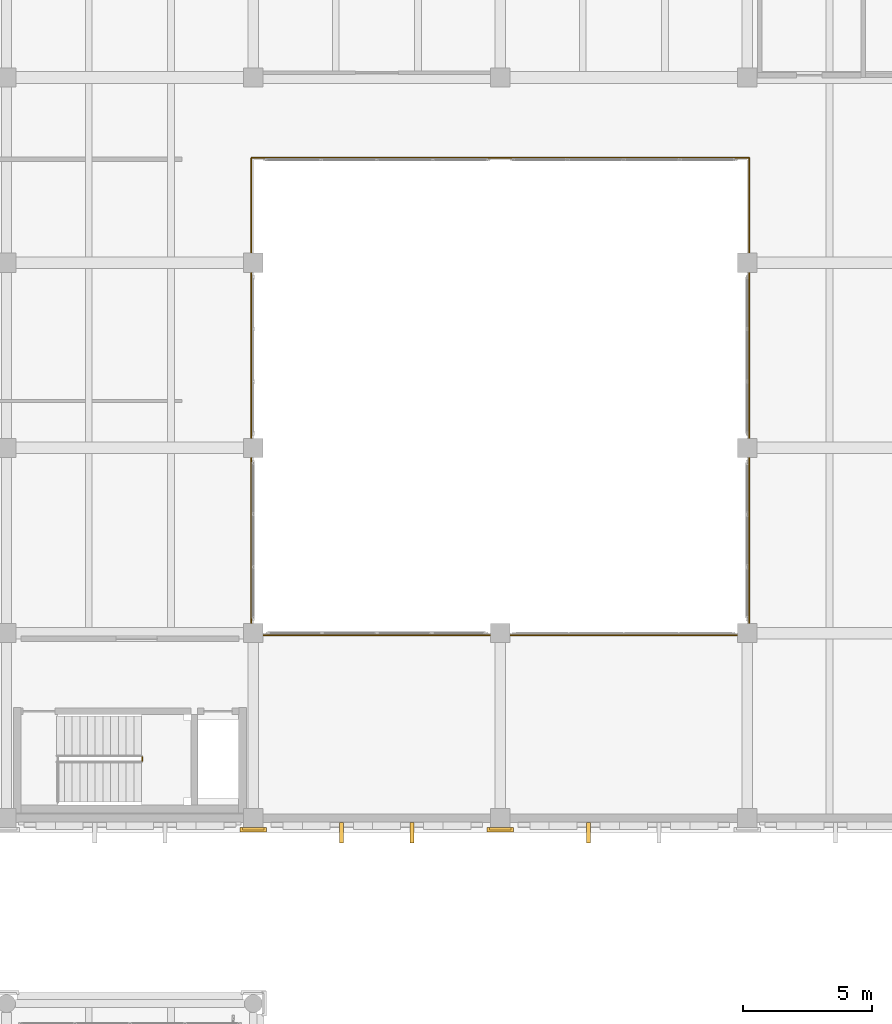
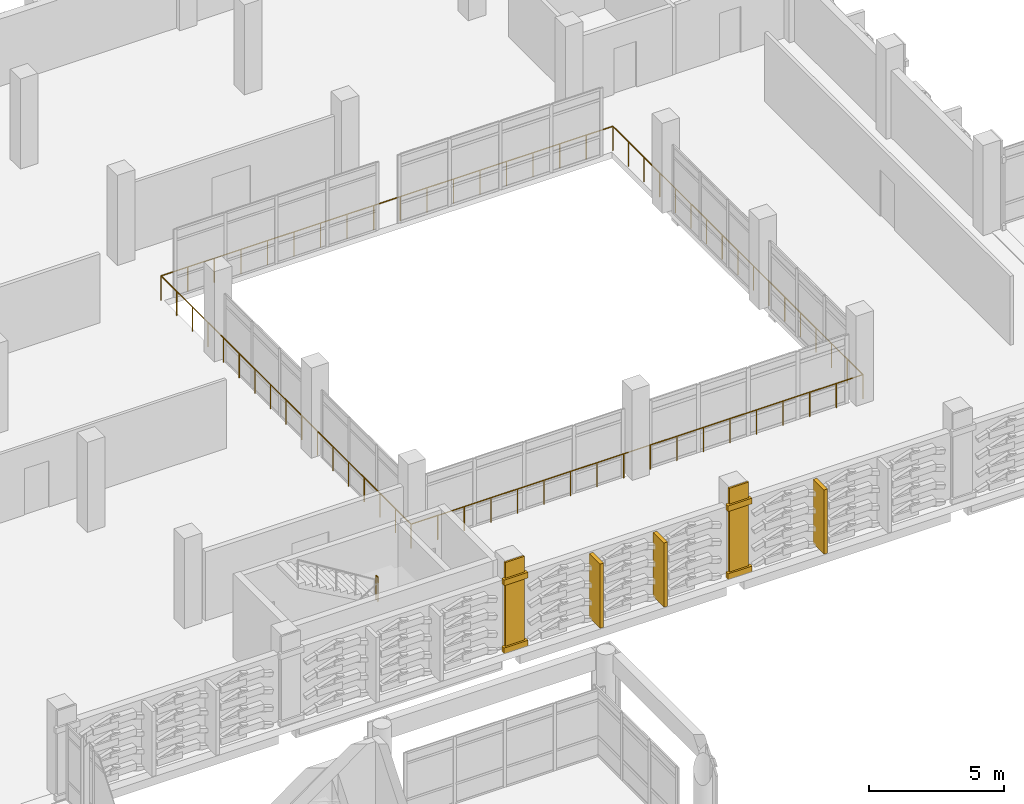
# One storey, part 170 of 180: 9 coverings, 3 railings.
"""IFC4 building model written with IfcOpenShell, lengths in metres."""

from ifc_helpers import new_model, si_unit, direction, frame, origin, origin_2d, place, context, subcontext, project, spatial, rectangle, circle, extrude, material, layer, layer_set, type_object, element, save


model = new_model("IFC4")

# Units and contexts
model_context = context("Model", 3, precision=1e-05, world=origin(), true_north=direction((0.0, 1.0)))
body_context = subcontext(model_context, "Body", "Model", "MODEL_VIEW")
ifc_project = project(units=[si_unit("LENGTHUNIT", "METRE"), si_unit("AREAUNIT", "SQUARE_METRE"), si_unit("VOLUMEUNIT", "CUBIC_METRE"), si_unit("PLANEANGLEUNIT", "RADIAN"), si_unit("MASSUNIT", "GRAM", prefix="KILO")], contexts=[model_context])

# Site, building, storey
site_placement = place(None, origin())
site = spatial("IfcSite", under=ifc_project, at=site_placement, CompositionType="ELEMENT")
building_placement = place(site_placement, origin())
building = spatial("IfcBuilding", under=site, at=building_placement, Name="Asteropetra Specialist Clinic", CompositionType="ELEMENT")
storey_placement = place(building_placement, frame((0.0, 0.0, 4.419921875)))
storey = spatial("IfcBuildingStorey", under=building, at=storey_placement, Name="L01", CompositionType="ELEMENT", Elevation=4.419921875)

# Coverings
ifc_material_1 = material(Name="Pentelic marble ashlar", Category="masonry")
ifc_layer_1 = layer(ifc_material_1, 0.159912109375)
ifc_layer_set_1 = layer_set([ifc_layer_1], Name="Pentelic marble ashlar")
covering_type_1 = type_object("IfcCoveringType", Name="CRN-ENTAB-600", PredefinedType="MOLDING", material=ifc_layer_set_1)
covering_1_placement = place(storey_placement, frame((48.0, 69.193115234375, 0.02001953125), z_axis=(0.0, 0.0, 1.0), x_axis=(1.0, 0.0, 0.0)))
element("IfcCovering", 1, at=covering_1_placement, inside=storey, type_object=covering_type_1, Name="Neoclassical Pilaster Facing CM-0604", PredefinedType="MOLDING", context=body_context, shape_type="SweptSolid", body=[
    extrude(rectangle(XDim=0.830078125, YDim=0.080078125, at=origin_2d()), origin(), (0.0, 0.0, 1.0), 4.0400390625),
])
for number, where, z_axis, x_axis, name in (
    (2, (48.0, 69.153076171875, 0.01025390625), (0.0, 0.0, 1.0), (1.0, 0.0, 0.0), "Doric Base CC-0605"),
    (3, (48.0, 69.153076171875, 3.08984375), (0.0, 0.0, 1.0), (1.0, 0.0, 0.0), "Doric Capital CC-0606"),
):
    element("IfcCovering", number, at=place(storey_placement, frame(where, z_axis=z_axis, x_axis=x_axis)), inside=storey, type_object=covering_type_1, Name=name, PredefinedType="MOLDING", context=body_context, shape_type="SweptSolid", body=[
        extrude(rectangle(XDim=1.030029296875, YDim=0.159912109375, at=origin_2d()), origin(), (0.0, 0.0, 1.0), 0.260009765625),
    ])
covering_2_placement = place(storey_placement, frame((57.60009765625, 69.193115234375, 0.02001953125), z_axis=(0.0, 0.0, 1.0), x_axis=(1.0, 0.0, 0.0)))
element("IfcCovering", 4, at=covering_2_placement, inside=storey, type_object=covering_type_1, Name="Neoclassical Pilaster Facing CM-0610", PredefinedType="MOLDING", context=body_context, shape_type="SweptSolid", body=[
    extrude(rectangle(XDim=0.830078125, YDim=0.080078125, at=origin_2d()), origin(), (0.0, 0.0, 1.0), 4.0400390625),
])
for number, where, z_axis, x_axis, name in (
    (5, (57.60009765625, 69.153076171875, 0.01025390625), (0.0, 0.0, 1.0), (1.0, 0.0, 0.0), "Doric Base CC-0611"),
    (6, (57.60009765625, 69.153076171875, 3.08984375), (0.0, 0.0, 1.0), (1.0, 0.0, 0.0), "Doric Capital CC-0612"),
):
    element("IfcCovering", number, at=place(storey_placement, frame(where, z_axis=z_axis, x_axis=x_axis)), inside=storey, type_object=covering_type_1, Name=name, PredefinedType="MOLDING", context=body_context, shape_type="SweptSolid", body=[
        extrude(rectangle(XDim=1.030029296875, YDim=0.159912109375, at=origin_2d()), origin(), (0.0, 0.0, 1.0), 0.260009765625),
    ])
ifc_material_2 = material(Name="Pentelic marble solar fin", Category="masonry")
ifc_layer_2 = layer(ifc_material_2, 0.080078125)
ifc_layer_set_2 = layer_set([ifc_layer_2], Name="Pentelic marble solar fin")
covering_type_2 = type_object("IfcCoveringType", Name="FIN-SOLAR-800", PredefinedType="MOLDING", material=ifc_layer_set_2)
for number, where, z_axis, x_axis, name in (
    (7, (51.431640625, 69.044921875, 0.0703125), (0.0, 0.0, 1.0), (1.0, 0.0, 0.0), "Solar Shading Fin FN-0024"),
    (8, (54.168212890625, 69.044921875, 0.0703125), (0.0, 0.0, 1.0), (1.0, 0.0, 0.0), "Solar Shading Fin FN-0025"),
    (9, (61.03173828125, 69.044921875, 0.0703125), (0.0, 0.0, 1.0), (1.0, 0.0, 0.0), "Solar Shading Fin FN-0028"),
):
    element("IfcCovering", number, at=place(storey_placement, frame(where, z_axis=z_axis, x_axis=x_axis)), inside=storey, type_object=covering_type_2, Name=name, PredefinedType="MOLDING", context=body_context, shape_type="SweptSolid", body=[
        extrude(rectangle(XDim=0.159912109375, YDim=0.800048828125, at=origin_2d()), origin(), (0.0, 0.0, 1.0), 2.909912109375),
    ])

# Railings
ifc_material_3 = material(Name="Powder-coated Steel S355 guardrail", Category="steel")
railing_type_1 = type_object("IfcRailingType", Name="GRD-EXT-1120", PredefinedType="GUARDRAIL", material=ifc_material_3)
railing_1_placement = place(storey_placement, frame((47.919921875, 76.719970703125, 0.0)))
element("IfcRailing", 10, at=railing_1_placement, inside=storey, type_object=railing_type_1, Name="Perimeter Guard GRD-CT-L01-02A", PredefinedType="GUARDRAIL", context=body_context, shape_type="SweptSolid", body=[
    extrude(circle(Radius=0.02392578125, at=origin_2d()), frame((0.0, 0.0, 1.09619140625), z_axis=(1.0, 0.0, 0.0), x_axis=(0.0, 1.0, 0.0)), (0.0, 0.0, 1.0), 19.360107421875),
    extrude(circle(Radius=0.02392578125, at=origin_2d()), frame((19.360107421875, 0.0, 1.09619140625), z_axis=(0.0, 1.0, 0.0), x_axis=(-1.0, 0.0, 0.0)), (0.0, 0.0, 1.0), 18.56005859375),
    extrude(circle(Radius=0.02099609375, at=origin_2d()), origin(), (0.0, 0.0, 1.0), 1.072021484375),
    extrude(circle(Radius=0.02099609375, at=origin_2d()), frame((1.138916015625, 0.0, 0.0)), (0.0, 0.0, 1.0), 1.072021484375),
    extrude(circle(Radius=0.02099609375, at=origin_2d()), frame((2.277587890625, 0.0, 0.0)), (0.0, 0.0, 1.0), 1.072021484375),
    extrude(circle(Radius=0.02099609375, at=origin_2d()), frame((3.41650390625, 0.0, 0.0)), (0.0, 0.0, 1.0), 1.072021484375),
    extrude(circle(Radius=0.02099609375, at=origin_2d()), frame((4.555419921875, 0.0, 0.0)), (0.0, 0.0, 1.0), 1.072021484375),
    extrude(circle(Radius=0.02099609375, at=origin_2d()), frame((5.694091796875, 0.0, 0.0)), (0.0, 0.0, 1.0), 1.072021484375),
    extrude(circle(Radius=0.02099609375, at=origin_2d()), frame((6.8330078125, 0.0, 0.0)), (0.0, 0.0, 1.0), 1.072021484375),
    extrude(circle(Radius=0.02099609375, at=origin_2d()), frame((7.971923828125, 0.0, 0.0)), (0.0, 0.0, 1.0), 1.072021484375),
    extrude(circle(Radius=0.02099609375, at=origin_2d()), frame((9.110595703125, 0.0, 0.0)), (0.0, 0.0, 1.0), 1.072021484375),
    extrude(circle(Radius=0.02099609375, at=origin_2d()), frame((10.24951171875, 0.0, 0.0)), (0.0, 0.0, 1.0), 1.072021484375),
    extrude(circle(Radius=0.02099609375, at=origin_2d()), frame((11.38818359375, 0.0, 0.0)), (0.0, 0.0, 1.0), 1.072021484375),
    extrude(circle(Radius=0.02099609375, at=origin_2d()), frame((12.527099609375, 0.0, 0.0)), (0.0, 0.0, 1.0), 1.072021484375),
    extrude(circle(Radius=0.02099609375, at=origin_2d()), frame((13.666015625, 0.0, 0.0)), (0.0, 0.0, 1.0), 1.072021484375),
    extrude(circle(Radius=0.02099609375, at=origin_2d()), frame((14.8046875, 0.0, 0.0)), (0.0, 0.0, 1.0), 1.072021484375),
    extrude(circle(Radius=0.02099609375, at=origin_2d()), frame((15.943603515625, 0.0, 0.0)), (0.0, 0.0, 1.0), 1.072021484375),
    extrude(circle(Radius=0.02099609375, at=origin_2d()), frame((17.08251953125, 0.0, 0.0)), (0.0, 0.0, 1.0), 1.072021484375),
    extrude(circle(Radius=0.02099609375, at=origin_2d()), frame((18.22119140625, 0.0, 0.0)), (0.0, 0.0, 1.0), 1.072021484375),
    extrude(circle(Radius=0.02099609375, at=origin_2d()), frame((19.360107421875, 0.0, 0.0)), (0.0, 0.0, 1.0), 1.072021484375),
    extrude(circle(Radius=0.02099609375, at=origin_2d()), frame((19.360107421875, 1.159912109375, 0.0)), (0.0, 0.0, 1.0), 1.072021484375),
    extrude(circle(Radius=0.02099609375, at=origin_2d()), frame((19.360107421875, 2.320068359375, 0.0)), (0.0, 0.0, 1.0), 1.072021484375),
    extrude(circle(Radius=0.02099609375, at=origin_2d()), frame((19.360107421875, 3.47998046875, 0.0)), (0.0, 0.0, 1.0), 1.072021484375),
    extrude(circle(Radius=0.02099609375, at=origin_2d()), frame((19.360107421875, 4.64013671875, 0.0)), (0.0, 0.0, 1.0), 1.072021484375),
    extrude(circle(Radius=0.02099609375, at=origin_2d()), frame((19.360107421875, 5.800048828125, 0.0)), (0.0, 0.0, 1.0), 1.072021484375),
    extrude(circle(Radius=0.02099609375, at=origin_2d()), frame((19.360107421875, 6.9599609375, 0.0)), (0.0, 0.0, 1.0), 1.072021484375),
    extrude(circle(Radius=0.02099609375, at=origin_2d()), frame((19.360107421875, 8.1201171875, 0.0)), (0.0, 0.0, 1.0), 1.072021484375),
    extrude(circle(Radius=0.02099609375, at=origin_2d()), frame((19.360107421875, 9.280029296875, 0.0)), (0.0, 0.0, 1.0), 1.072021484375),
    extrude(circle(Radius=0.02099609375, at=origin_2d()), frame((19.360107421875, 10.43994140625, 0.0)), (0.0, 0.0, 1.0), 1.072021484375),
    extrude(circle(Radius=0.02099609375, at=origin_2d()), frame((19.360107421875, 11.60009765625, 0.0)), (0.0, 0.0, 1.0), 1.072021484375),
    extrude(circle(Radius=0.02099609375, at=origin_2d()), frame((19.360107421875, 12.760009765625, 0.0)), (0.0, 0.0, 1.0), 1.072021484375),
    extrude(circle(Radius=0.02099609375, at=origin_2d()), frame((19.360107421875, 13.919921875, 0.0)), (0.0, 0.0, 1.0), 1.072021484375),
    extrude(circle(Radius=0.02099609375, at=origin_2d()), frame((19.360107421875, 15.080078125, 0.0)), (0.0, 0.0, 1.0), 1.072021484375),
    extrude(circle(Radius=0.02099609375, at=origin_2d()), frame((19.360107421875, 16.239990234375, 0.0)), (0.0, 0.0, 1.0), 1.072021484375),
    extrude(circle(Radius=0.02099609375, at=origin_2d()), frame((19.360107421875, 17.400146484375, 0.0)), (0.0, 0.0, 1.0), 1.072021484375),
    extrude(circle(Radius=0.02099609375, at=origin_2d()), frame((19.360107421875, 18.56005859375, 0.0)), (0.0, 0.0, 1.0), 1.072021484375),
])
railing_2_placement = place(storey_placement, frame((67.280029296875, 95.280029296875, 0.0)))
element("IfcRailing", 11, at=railing_2_placement, inside=storey, type_object=railing_type_1, Name="Perimeter Guard GRD-CT-L01-02B", PredefinedType="GUARDRAIL", context=body_context, shape_type="SweptSolid", body=[
    extrude(circle(Radius=0.02392578125, at=origin_2d()), frame((0.0, 0.0, 1.09619140625), z_axis=(-1.0, 0.0, 0.0), x_axis=(0.0, -1.0, 0.0)), (0.0, 0.0, 1.0), 19.360107421875),
    extrude(circle(Radius=0.02392578125, at=origin_2d()), frame((-19.360107421875, 0.0, 1.09619140625), z_axis=(0.0, -1.0, 0.0), x_axis=(1.0, 0.0, 0.0)), (0.0, 0.0, 1.0), 18.56005859375),
    extrude(circle(Radius=0.02099609375, at=origin_2d()), origin(), (0.0, 0.0, 1.0), 1.072021484375),
    extrude(circle(Radius=0.02099609375, at=origin_2d()), frame((-1.138916015625, 0.0, 0.0)), (0.0, 0.0, 1.0), 1.072021484375),
    extrude(circle(Radius=0.02099609375, at=origin_2d()), frame((-2.277587890625, 0.0, 0.0)), (0.0, 0.0, 1.0), 1.072021484375),
    extrude(circle(Radius=0.02099609375, at=origin_2d()), frame((-3.41650390625, 0.0, 0.0)), (0.0, 0.0, 1.0), 1.072021484375),
    extrude(circle(Radius=0.02099609375, at=origin_2d()), frame((-4.555419921875, 0.0, 0.0)), (0.0, 0.0, 1.0), 1.072021484375),
    extrude(circle(Radius=0.02099609375, at=origin_2d()), frame((-5.694091796875, 0.0, 0.0)), (0.0, 0.0, 1.0), 1.072021484375),
    extrude(circle(Radius=0.02099609375, at=origin_2d()), frame((-6.8330078125, 0.0, 0.0)), (0.0, 0.0, 1.0), 1.072021484375),
    extrude(circle(Radius=0.02099609375, at=origin_2d()), frame((-7.971923828125, 0.0, 0.0)), (0.0, 0.0, 1.0), 1.072021484375),
    extrude(circle(Radius=0.02099609375, at=origin_2d()), frame((-9.110595703125, 0.0, 0.0)), (0.0, 0.0, 1.0), 1.072021484375),
    extrude(circle(Radius=0.02099609375, at=origin_2d()), frame((-10.24951171875, 0.0, 0.0)), (0.0, 0.0, 1.0), 1.072021484375),
    extrude(circle(Radius=0.02099609375, at=origin_2d()), frame((-11.38818359375, 0.0, 0.0)), (0.0, 0.0, 1.0), 1.072021484375),
    extrude(circle(Radius=0.02099609375, at=origin_2d()), frame((-12.527099609375, 0.0, 0.0)), (0.0, 0.0, 1.0), 1.072021484375),
    extrude(circle(Radius=0.02099609375, at=origin_2d()), frame((-13.666015625, 0.0, 0.0)), (0.0, 0.0, 1.0), 1.072021484375),
    extrude(circle(Radius=0.02099609375, at=origin_2d()), frame((-14.8046875, 0.0, 0.0)), (0.0, 0.0, 1.0), 1.072021484375),
    extrude(circle(Radius=0.02099609375, at=origin_2d()), frame((-15.943603515625, 0.0, 0.0)), (0.0, 0.0, 1.0), 1.072021484375),
    extrude(circle(Radius=0.02099609375, at=origin_2d()), frame((-17.08251953125, 0.0, 0.0)), (0.0, 0.0, 1.0), 1.072021484375),
    extrude(circle(Radius=0.02099609375, at=origin_2d()), frame((-18.22119140625, 0.0, 0.0)), (0.0, 0.0, 1.0), 1.072021484375),
    extrude(circle(Radius=0.02099609375, at=origin_2d()), frame((-19.360107421875, 0.0, 0.0)), (0.0, 0.0, 1.0), 1.072021484375),
    extrude(circle(Radius=0.02099609375, at=origin_2d()), frame((-19.360107421875, -1.159912109375, 0.0)), (0.0, 0.0, 1.0), 1.072021484375),
    extrude(circle(Radius=0.02099609375, at=origin_2d()), frame((-19.360107421875, -2.320068359375, 0.0)), (0.0, 0.0, 1.0), 1.072021484375),
    extrude(circle(Radius=0.02099609375, at=origin_2d()), frame((-19.360107421875, -3.47998046875, 0.0)), (0.0, 0.0, 1.0), 1.072021484375),
    extrude(circle(Radius=0.02099609375, at=origin_2d()), frame((-19.360107421875, -4.64013671875, 0.0)), (0.0, 0.0, 1.0), 1.072021484375),
    extrude(circle(Radius=0.02099609375, at=origin_2d()), frame((-19.360107421875, -5.800048828125, 0.0)), (0.0, 0.0, 1.0), 1.072021484375),
    extrude(circle(Radius=0.02099609375, at=origin_2d()), frame((-19.360107421875, -6.9599609375, 0.0)), (0.0, 0.0, 1.0), 1.072021484375),
    extrude(circle(Radius=0.02099609375, at=origin_2d()), frame((-19.360107421875, -8.1201171875, 0.0)), (0.0, 0.0, 1.0), 1.072021484375),
    extrude(circle(Radius=0.02099609375, at=origin_2d()), frame((-19.360107421875, -9.280029296875, 0.0)), (0.0, 0.0, 1.0), 1.072021484375),
    extrude(circle(Radius=0.02099609375, at=origin_2d()), frame((-19.360107421875, -10.43994140625, 0.0)), (0.0, 0.0, 1.0), 1.072021484375),
    extrude(circle(Radius=0.02099609375, at=origin_2d()), frame((-19.360107421875, -11.60009765625, 0.0)), (0.0, 0.0, 1.0), 1.072021484375),
    extrude(circle(Radius=0.02099609375, at=origin_2d()), frame((-19.360107421875, -12.760009765625, 0.0)), (0.0, 0.0, 1.0), 1.072021484375),
    extrude(circle(Radius=0.02099609375, at=origin_2d()), frame((-19.360107421875, -13.919921875, 0.0)), (0.0, 0.0, 1.0), 1.072021484375),
    extrude(circle(Radius=0.02099609375, at=origin_2d()), frame((-19.360107421875, -15.080078125, 0.0)), (0.0, 0.0, 1.0), 1.072021484375),
    extrude(circle(Radius=0.02099609375, at=origin_2d()), frame((-19.360107421875, -16.239990234375, 0.0)), (0.0, 0.0, 1.0), 1.072021484375),
    extrude(circle(Radius=0.02099609375, at=origin_2d()), frame((-19.360107421875, -17.400146484375, 0.0)), (0.0, 0.0, 1.0), 1.072021484375),
    extrude(circle(Radius=0.02099609375, at=origin_2d()), frame((-19.360107421875, -18.56005859375, 0.0)), (0.0, 0.0, 1.0), 1.072021484375),
])
ifc_material_4 = material(Name="Steel S355 and laminated glass guard", Category="steel")
railing_type_2 = type_object("IfcRailingType", Name="GRD-INT-1120", PredefinedType="GUARDRAIL", material=ifc_material_4)
railing_3_placement = place(storey_placement, frame((43.679931640625, 71.840087890625, 2.0400390625)))
element("IfcRailing", 12, at=railing_3_placement, inside=storey, type_object=railing_type_2, Name="Landing Slot Guard ST03-L01", PredefinedType="GUARDRAIL", context=body_context, shape_type="SweptSolid", body=[
    extrude(circle(Radius=0.02392578125, at=origin_2d()), frame((0.0, 0.0, 1.09619140625), z_axis=(0.0, 1.0, 0.0), x_axis=(-1.0, 0.0, 0.0)), (0.0, 0.0, 1.0), 0.139892578125),
    extrude(circle(Radius=0.02099609375, at=origin_2d()), origin(), (0.0, 0.0, 1.0), 1.072021484375),
    extrude(circle(Radius=0.02099609375, at=origin_2d()), frame((0.0, 0.139892578125, 0.0)), (0.0, 0.0, 1.0), 1.072021484375),
])

save(model, "model.ifc")
